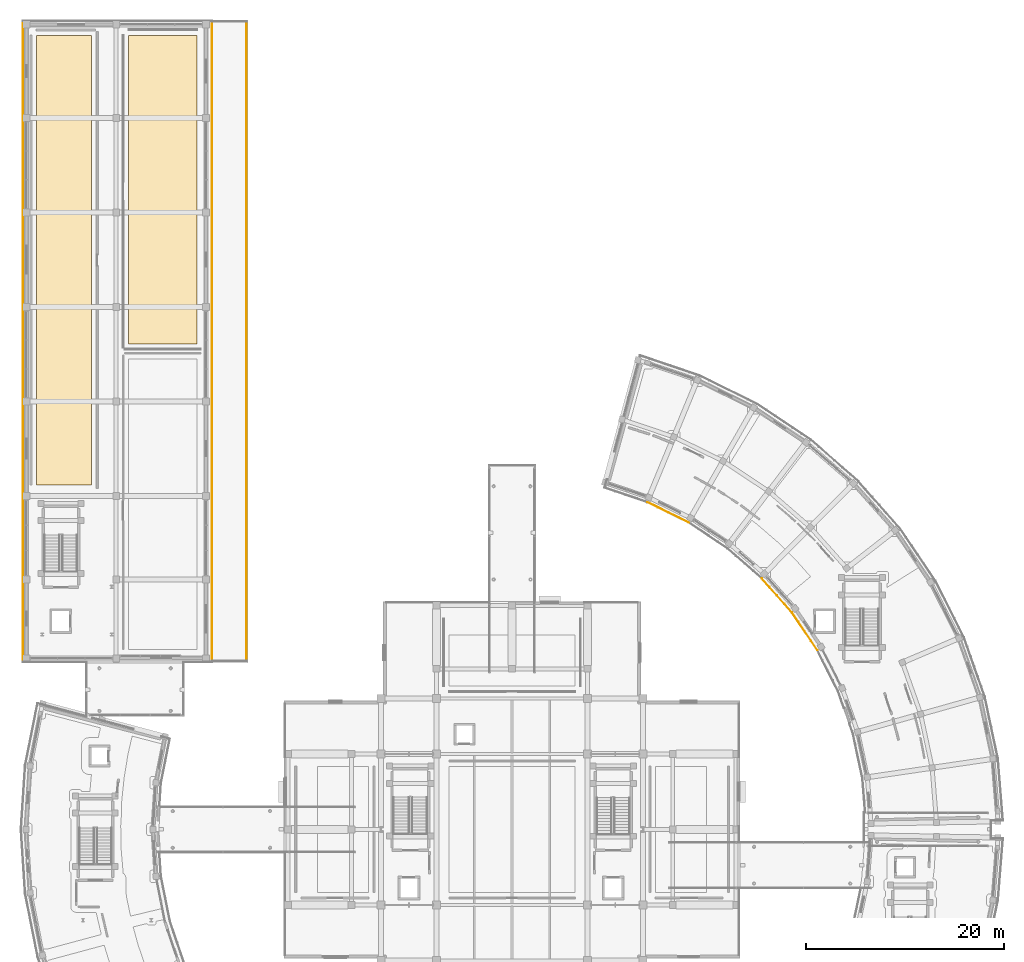
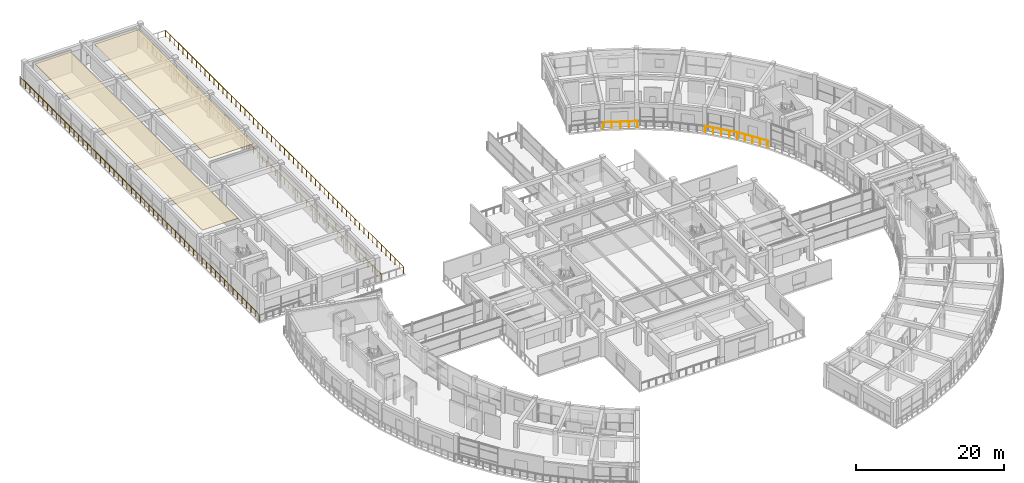
# One storey, part 68 of 70: 6 railings, 2 coverings.
"""IFC4 building model written with IfcOpenShell, lengths in metres."""

from ifc_helpers import new_model, si_unit, direction, frame, origin, origin_2d, place, context, subcontext, project, spatial, polyline, rectangle, outline, extrude, material, layer, layer_set, type_object, element, save


model = new_model("IFC4")

# Units and contexts
model_context = context("Model", 3, precision=1e-05, world=origin(), true_north=direction((0.0, 1.0)))
body_context = subcontext(model_context, "Body", "Model", "MODEL_VIEW")
ifc_project = project(units=[si_unit("LENGTHUNIT", "METRE"), si_unit("AREAUNIT", "SQUARE_METRE"), si_unit("VOLUMEUNIT", "CUBIC_METRE"), si_unit("PLANEANGLEUNIT", "RADIAN"), si_unit("MASSUNIT", "GRAM", prefix="KILO")], contexts=[model_context])

# Site, building, storey
site_placement = place(None, origin())
site = spatial("IfcSite", under=ifc_project, at=site_placement, CompositionType="ELEMENT")
building_placement = place(site_placement, origin())
building = spatial("IfcBuilding", under=site, at=building_placement, Name="Saryqyr Civic Hall", CompositionType="ELEMENT")
storey_placement = place(building_placement, frame((0.0, 0.0, 13.199951171875)))
storey = spatial("IfcBuildingStorey", under=building, at=storey_placement, Name="L03", CompositionType="ELEMENT", Elevation=13.199951171875)

# Railings
ifc_material_1 = material(Name="Stainless steel and laminated glass", Category="steel")
ifc_layer_1 = layer(ifc_material_1, 0.06005859375, Name="Stainless steel and laminated glass")
ifc_layer_set_1 = layer_set([ifc_layer_1], Name="Stainless steel and laminated glass")
railing_type_1 = type_object("IfcRailingType", Name="ENV-RLG-BAL-1100", PredefinedType="BALUSTRADE", material=ifc_layer_set_1)
railing_1_placement = place(storey_placement, frame((30.239990234375, 100.9599609375, 0.0)))
element("IfcRailing", 1, at=railing_1_placement, inside=storey, type_object=railing_type_1, Name="Perimeter safety balustrade V3-TERR-L03-G02", PredefinedType="BALUSTRADE", context=body_context, shape_type="SweptSolid", body=[
    extrude(rectangle(XDim=0.048095703125, YDim=0.048095703125, at=origin_2d()), frame((0.0, 0.0, 1.076171875), z_axis=(0.0, 1.0, 0.0), x_axis=(-1.0, 0.0, 0.0)), (0.0, 0.0, 1.0), 64.47998046875),
    extrude(rectangle(XDim=0.0419921875, YDim=0.0419921875, at=origin_2d()), origin(), (0.0, 0.0, 1.0), 1.052001953125),
    extrude(rectangle(XDim=0.0419921875, YDim=0.0419921875, at=origin_2d()), frame((0.0, 1.194091796875, 0.0)), (0.0, 0.0, 1.0), 1.052001953125),
    extrude(rectangle(XDim=0.0419921875, YDim=0.0419921875, at=origin_2d()), frame((0.0, 2.38818359375, 0.0)), (0.0, 0.0, 1.0), 1.052001953125),
    extrude(rectangle(XDim=0.0419921875, YDim=0.0419921875, at=origin_2d()), frame((0.0, 3.582275390625, 0.0)), (0.0, 0.0, 1.0), 1.052001953125),
    extrude(rectangle(XDim=0.0419921875, YDim=0.0419921875, at=origin_2d()), frame((0.0, 4.7763671875, 0.0)), (0.0, 0.0, 1.0), 1.052001953125),
    extrude(rectangle(XDim=0.0419921875, YDim=0.0419921875, at=origin_2d()), frame((0.0, 5.970458984375, 0.0)), (0.0, 0.0, 1.0), 1.052001953125),
    extrude(rectangle(XDim=0.0419921875, YDim=0.0419921875, at=origin_2d()), frame((0.0, 7.16455078125, 0.0)), (0.0, 0.0, 1.0), 1.052001953125),
    extrude(rectangle(XDim=0.0419921875, YDim=0.0419921875, at=origin_2d()), frame((0.0, 8.3583984375, 0.0)), (0.0, 0.0, 1.0), 1.052001953125),
    extrude(rectangle(XDim=0.0419921875, YDim=0.0419921875, at=origin_2d()), frame((0.0, 9.552490234375, 0.0)), (0.0, 0.0, 1.0), 1.052001953125),
    extrude(rectangle(XDim=0.0419921875, YDim=0.0419921875, at=origin_2d()), frame((0.0, 10.74658203125, 0.0)), (0.0, 0.0, 1.0), 1.052001953125),
    extrude(rectangle(XDim=0.0419921875, YDim=0.0419921875, at=origin_2d()), frame((0.0, 11.940673828125, 0.0)), (0.0, 0.0, 1.0), 1.052001953125),
    extrude(rectangle(XDim=0.0419921875, YDim=0.0419921875, at=origin_2d()), frame((0.0, 13.134765625, 0.0)), (0.0, 0.0, 1.0), 1.052001953125),
    extrude(rectangle(XDim=0.0419921875, YDim=0.0419921875, at=origin_2d()), frame((0.0, 14.328857421875, 0.0)), (0.0, 0.0, 1.0), 1.052001953125),
    extrude(rectangle(XDim=0.0419921875, YDim=0.0419921875, at=origin_2d()), frame((0.0, 15.52294921875, 0.0)), (0.0, 0.0, 1.0), 1.052001953125),
    extrude(rectangle(XDim=0.0419921875, YDim=0.0419921875, at=origin_2d()), frame((0.0, 16.717041015625, 0.0)), (0.0, 0.0, 1.0), 1.052001953125),
    extrude(rectangle(XDim=0.0419921875, YDim=0.0419921875, at=origin_2d()), frame((0.0, 17.9111328125, 0.0)), (0.0, 0.0, 1.0), 1.052001953125),
    extrude(rectangle(XDim=0.0419921875, YDim=0.0419921875, at=origin_2d()), frame((0.0, 19.105224609375, 0.0)), (0.0, 0.0, 1.0), 1.052001953125),
    extrude(rectangle(XDim=0.0419921875, YDim=0.0419921875, at=origin_2d()), frame((0.0, 20.29931640625, 0.0)), (0.0, 0.0, 1.0), 1.052001953125),
    extrude(rectangle(XDim=0.0419921875, YDim=0.0419921875, at=origin_2d()), frame((0.0, 21.493408203125, 0.0)), (0.0, 0.0, 1.0), 1.052001953125),
    extrude(rectangle(XDim=0.0419921875, YDim=0.0419921875, at=origin_2d()), frame((0.0, 22.6875, 0.0)), (0.0, 0.0, 1.0), 1.052001953125),
    extrude(rectangle(XDim=0.0419921875, YDim=0.0419921875, at=origin_2d()), frame((0.0, 23.881591796875, 0.0)), (0.0, 0.0, 1.0), 1.052001953125),
    extrude(rectangle(XDim=0.0419921875, YDim=0.0419921875, at=origin_2d()), frame((0.0, 25.075439453125, 0.0)), (0.0, 0.0, 1.0), 1.052001953125),
    extrude(rectangle(XDim=0.0419921875, YDim=0.0419921875, at=origin_2d()), frame((0.0, 26.26953125, 0.0)), (0.0, 0.0, 1.0), 1.052001953125),
    extrude(rectangle(XDim=0.0419921875, YDim=0.0419921875, at=origin_2d()), frame((0.0, 27.463623046875, 0.0)), (0.0, 0.0, 1.0), 1.052001953125),
    extrude(rectangle(XDim=0.0419921875, YDim=0.0419921875, at=origin_2d()), frame((0.0, 28.65771484375, 0.0)), (0.0, 0.0, 1.0), 1.052001953125),
    extrude(rectangle(XDim=0.0419921875, YDim=0.0419921875, at=origin_2d()), frame((0.0, 29.851806640625, 0.0)), (0.0, 0.0, 1.0), 1.052001953125),
    extrude(rectangle(XDim=0.0419921875, YDim=0.0419921875, at=origin_2d()), frame((0.0, 31.0458984375, 0.0)), (0.0, 0.0, 1.0), 1.052001953125),
    extrude(rectangle(XDim=0.0419921875, YDim=0.0419921875, at=origin_2d()), frame((0.0, 32.239990234375, 0.0)), (0.0, 0.0, 1.0), 1.052001953125),
    extrude(rectangle(XDim=0.0419921875, YDim=0.0419921875, at=origin_2d()), frame((0.0, 33.43408203125, 0.0)), (0.0, 0.0, 1.0), 1.052001953125),
    extrude(rectangle(XDim=0.0419921875, YDim=0.0419921875, at=origin_2d()), frame((0.0, 34.628173828125, 0.0)), (0.0, 0.0, 1.0), 1.052001953125),
    extrude(rectangle(XDim=0.0419921875, YDim=0.0419921875, at=origin_2d()), frame((0.0, 35.822265625, 0.0)), (0.0, 0.0, 1.0), 1.052001953125),
    extrude(rectangle(XDim=0.0419921875, YDim=0.0419921875, at=origin_2d()), frame((0.0, 37.016357421875, 0.0)), (0.0, 0.0, 1.0), 1.052001953125),
    extrude(rectangle(XDim=0.0419921875, YDim=0.0419921875, at=origin_2d()), frame((0.0, 38.21044921875, 0.0)), (0.0, 0.0, 1.0), 1.052001953125),
    extrude(rectangle(XDim=0.0419921875, YDim=0.0419921875, at=origin_2d()), frame((0.0, 39.404541015625, 0.0)), (0.0, 0.0, 1.0), 1.052001953125),
    extrude(rectangle(XDim=0.0419921875, YDim=0.0419921875, at=origin_2d()), frame((0.0, 40.598388671875, 0.0)), (0.0, 0.0, 1.0), 1.052001953125),
    extrude(rectangle(XDim=0.0419921875, YDim=0.0419921875, at=origin_2d()), frame((0.0, 41.79248046875, 0.0)), (0.0, 0.0, 1.0), 1.052001953125),
    extrude(rectangle(XDim=0.0419921875, YDim=0.0419921875, at=origin_2d()), frame((0.0, 42.986572265625, 0.0)), (0.0, 0.0, 1.0), 1.052001953125),
    extrude(rectangle(XDim=0.0419921875, YDim=0.0419921875, at=origin_2d()), frame((0.0, 44.1806640625, 0.0)), (0.0, 0.0, 1.0), 1.052001953125),
    extrude(rectangle(XDim=0.0419921875, YDim=0.0419921875, at=origin_2d()), frame((0.0, 45.374755859375, 0.0)), (0.0, 0.0, 1.0), 1.052001953125),
    extrude(rectangle(XDim=0.0419921875, YDim=0.0419921875, at=origin_2d()), frame((0.0, 46.56884765625, 0.0)), (0.0, 0.0, 1.0), 1.052001953125),
    extrude(rectangle(XDim=0.0419921875, YDim=0.0419921875, at=origin_2d()), frame((0.0, 47.762939453125, 0.0)), (0.0, 0.0, 1.0), 1.052001953125),
    extrude(rectangle(XDim=0.0419921875, YDim=0.0419921875, at=origin_2d()), frame((0.0, 48.95703125, 0.0)), (0.0, 0.0, 1.0), 1.052001953125),
    extrude(rectangle(XDim=0.0419921875, YDim=0.0419921875, at=origin_2d()), frame((0.0, 50.151123046875, 0.0)), (0.0, 0.0, 1.0), 1.052001953125),
    extrude(rectangle(XDim=0.0419921875, YDim=0.0419921875, at=origin_2d()), frame((0.0, 51.34521484375, 0.0)), (0.0, 0.0, 1.0), 1.052001953125),
    extrude(rectangle(XDim=0.0419921875, YDim=0.0419921875, at=origin_2d()), frame((0.0, 52.539306640625, 0.0)), (0.0, 0.0, 1.0), 1.052001953125),
    extrude(rectangle(XDim=0.0419921875, YDim=0.0419921875, at=origin_2d()), frame((0.0, 53.7333984375, 0.0)), (0.0, 0.0, 1.0), 1.052001953125),
    extrude(rectangle(XDim=0.0419921875, YDim=0.0419921875, at=origin_2d()), frame((0.0, 54.927490234375, 0.0)), (0.0, 0.0, 1.0), 1.052001953125),
    extrude(rectangle(XDim=0.0419921875, YDim=0.0419921875, at=origin_2d()), frame((0.0, 56.12158203125, 0.0)), (0.0, 0.0, 1.0), 1.052001953125),
    extrude(rectangle(XDim=0.0419921875, YDim=0.0419921875, at=origin_2d()), frame((0.0, 57.3154296875, 0.0)), (0.0, 0.0, 1.0), 1.052001953125),
    extrude(rectangle(XDim=0.0419921875, YDim=0.0419921875, at=origin_2d()), frame((0.0, 58.509521484375, 0.0)), (0.0, 0.0, 1.0), 1.052001953125),
    extrude(rectangle(XDim=0.0419921875, YDim=0.0419921875, at=origin_2d()), frame((0.0, 59.70361328125, 0.0)), (0.0, 0.0, 1.0), 1.052001953125),
    extrude(rectangle(XDim=0.0419921875, YDim=0.0419921875, at=origin_2d()), frame((0.0, 60.897705078125, 0.0)), (0.0, 0.0, 1.0), 1.052001953125),
    extrude(rectangle(XDim=0.0419921875, YDim=0.0419921875, at=origin_2d()), frame((0.0, 62.091796875, 0.0)), (0.0, 0.0, 1.0), 1.052001953125),
    extrude(rectangle(XDim=0.0419921875, YDim=0.0419921875, at=origin_2d()), frame((0.0, 63.285888671875, 0.0)), (0.0, 0.0, 1.0), 1.052001953125),
    extrude(rectangle(XDim=0.0419921875, YDim=0.0419921875, at=origin_2d()), frame((0.0, 64.47998046875, 0.0)), (0.0, 0.0, 1.0), 1.052001953125),
])
railing_2_placement = place(storey_placement, frame((26.760009765625, 165.43994140625, 0.0)))
element("IfcRailing", 2, at=railing_2_placement, inside=storey, type_object=railing_type_1, Name="Perimeter safety balustrade V3-TERR-L03-G04", PredefinedType="BALUSTRADE", context=body_context, shape_type="SweptSolid", body=[
    extrude(rectangle(XDim=0.048095703125, YDim=0.048095703125, at=origin_2d()), frame((0.0, 0.0, 1.076171875), z_axis=(0.0, -1.0, 0.0), x_axis=(1.0, 0.0, 0.0)), (0.0, 0.0, 1.0), 64.47998046875),
    extrude(rectangle(XDim=0.0419921875, YDim=0.0419921875, at=origin_2d()), origin(), (0.0, 0.0, 1.0), 1.052001953125),
    extrude(rectangle(XDim=0.0419921875, YDim=0.0419921875, at=origin_2d()), frame((0.0, -1.194091796875, 0.0)), (0.0, 0.0, 1.0), 1.052001953125),
    extrude(rectangle(XDim=0.0419921875, YDim=0.0419921875, at=origin_2d()), frame((0.0, -2.38818359375, 0.0)), (0.0, 0.0, 1.0), 1.052001953125),
    extrude(rectangle(XDim=0.0419921875, YDim=0.0419921875, at=origin_2d()), frame((0.0, -3.582275390625, 0.0)), (0.0, 0.0, 1.0), 1.052001953125),
    extrude(rectangle(XDim=0.0419921875, YDim=0.0419921875, at=origin_2d()), frame((0.0, -4.7763671875, 0.0)), (0.0, 0.0, 1.0), 1.052001953125),
    extrude(rectangle(XDim=0.0419921875, YDim=0.0419921875, at=origin_2d()), frame((0.0, -5.970458984375, 0.0)), (0.0, 0.0, 1.0), 1.052001953125),
    extrude(rectangle(XDim=0.0419921875, YDim=0.0419921875, at=origin_2d()), frame((0.0, -7.16455078125, 0.0)), (0.0, 0.0, 1.0), 1.052001953125),
    extrude(rectangle(XDim=0.0419921875, YDim=0.0419921875, at=origin_2d()), frame((0.0, -8.3583984375, 0.0)), (0.0, 0.0, 1.0), 1.052001953125),
    extrude(rectangle(XDim=0.0419921875, YDim=0.0419921875, at=origin_2d()), frame((0.0, -9.552490234375, 0.0)), (0.0, 0.0, 1.0), 1.052001953125),
    extrude(rectangle(XDim=0.0419921875, YDim=0.0419921875, at=origin_2d()), frame((0.0, -10.74658203125, 0.0)), (0.0, 0.0, 1.0), 1.052001953125),
    extrude(rectangle(XDim=0.0419921875, YDim=0.0419921875, at=origin_2d()), frame((0.0, -11.940673828125, 0.0)), (0.0, 0.0, 1.0), 1.052001953125),
    extrude(rectangle(XDim=0.0419921875, YDim=0.0419921875, at=origin_2d()), frame((0.0, -13.134765625, 0.0)), (0.0, 0.0, 1.0), 1.052001953125),
    extrude(rectangle(XDim=0.0419921875, YDim=0.0419921875, at=origin_2d()), frame((0.0, -14.328857421875, 0.0)), (0.0, 0.0, 1.0), 1.052001953125),
    extrude(rectangle(XDim=0.0419921875, YDim=0.0419921875, at=origin_2d()), frame((0.0, -15.52294921875, 0.0)), (0.0, 0.0, 1.0), 1.052001953125),
    extrude(rectangle(XDim=0.0419921875, YDim=0.0419921875, at=origin_2d()), frame((0.0, -16.717041015625, 0.0)), (0.0, 0.0, 1.0), 1.052001953125),
    extrude(rectangle(XDim=0.0419921875, YDim=0.0419921875, at=origin_2d()), frame((0.0, -17.9111328125, 0.0)), (0.0, 0.0, 1.0), 1.052001953125),
    extrude(rectangle(XDim=0.0419921875, YDim=0.0419921875, at=origin_2d()), frame((0.0, -19.105224609375, 0.0)), (0.0, 0.0, 1.0), 1.052001953125),
    extrude(rectangle(XDim=0.0419921875, YDim=0.0419921875, at=origin_2d()), frame((0.0, -20.29931640625, 0.0)), (0.0, 0.0, 1.0), 1.052001953125),
    extrude(rectangle(XDim=0.0419921875, YDim=0.0419921875, at=origin_2d()), frame((0.0, -21.493408203125, 0.0)), (0.0, 0.0, 1.0), 1.052001953125),
    extrude(rectangle(XDim=0.0419921875, YDim=0.0419921875, at=origin_2d()), frame((0.0, -22.6875, 0.0)), (0.0, 0.0, 1.0), 1.052001953125),
    extrude(rectangle(XDim=0.0419921875, YDim=0.0419921875, at=origin_2d()), frame((0.0, -23.881591796875, 0.0)), (0.0, 0.0, 1.0), 1.052001953125),
    extrude(rectangle(XDim=0.0419921875, YDim=0.0419921875, at=origin_2d()), frame((0.0, -25.075439453125, 0.0)), (0.0, 0.0, 1.0), 1.052001953125),
    extrude(rectangle(XDim=0.0419921875, YDim=0.0419921875, at=origin_2d()), frame((0.0, -26.26953125, 0.0)), (0.0, 0.0, 1.0), 1.052001953125),
    extrude(rectangle(XDim=0.0419921875, YDim=0.0419921875, at=origin_2d()), frame((0.0, -27.463623046875, 0.0)), (0.0, 0.0, 1.0), 1.052001953125),
    extrude(rectangle(XDim=0.0419921875, YDim=0.0419921875, at=origin_2d()), frame((0.0, -28.65771484375, 0.0)), (0.0, 0.0, 1.0), 1.052001953125),
    extrude(rectangle(XDim=0.0419921875, YDim=0.0419921875, at=origin_2d()), frame((0.0, -29.851806640625, 0.0)), (0.0, 0.0, 1.0), 1.052001953125),
    extrude(rectangle(XDim=0.0419921875, YDim=0.0419921875, at=origin_2d()), frame((0.0, -31.0458984375, 0.0)), (0.0, 0.0, 1.0), 1.052001953125),
    extrude(rectangle(XDim=0.0419921875, YDim=0.0419921875, at=origin_2d()), frame((0.0, -32.239990234375, 0.0)), (0.0, 0.0, 1.0), 1.052001953125),
    extrude(rectangle(XDim=0.0419921875, YDim=0.0419921875, at=origin_2d()), frame((0.0, -33.43408203125, 0.0)), (0.0, 0.0, 1.0), 1.052001953125),
    extrude(rectangle(XDim=0.0419921875, YDim=0.0419921875, at=origin_2d()), frame((0.0, -34.628173828125, 0.0)), (0.0, 0.0, 1.0), 1.052001953125),
    extrude(rectangle(XDim=0.0419921875, YDim=0.0419921875, at=origin_2d()), frame((0.0, -35.822265625, 0.0)), (0.0, 0.0, 1.0), 1.052001953125),
    extrude(rectangle(XDim=0.0419921875, YDim=0.0419921875, at=origin_2d()), frame((0.0, -37.016357421875, 0.0)), (0.0, 0.0, 1.0), 1.052001953125),
    extrude(rectangle(XDim=0.0419921875, YDim=0.0419921875, at=origin_2d()), frame((0.0, -38.21044921875, 0.0)), (0.0, 0.0, 1.0), 1.052001953125),
    extrude(rectangle(XDim=0.0419921875, YDim=0.0419921875, at=origin_2d()), frame((0.0, -39.404541015625, 0.0)), (0.0, 0.0, 1.0), 1.052001953125),
    extrude(rectangle(XDim=0.0419921875, YDim=0.0419921875, at=origin_2d()), frame((0.0, -40.598388671875, 0.0)), (0.0, 0.0, 1.0), 1.052001953125),
    extrude(rectangle(XDim=0.0419921875, YDim=0.0419921875, at=origin_2d()), frame((0.0, -41.79248046875, 0.0)), (0.0, 0.0, 1.0), 1.052001953125),
    extrude(rectangle(XDim=0.0419921875, YDim=0.0419921875, at=origin_2d()), frame((0.0, -42.986572265625, 0.0)), (0.0, 0.0, 1.0), 1.052001953125),
    extrude(rectangle(XDim=0.0419921875, YDim=0.0419921875, at=origin_2d()), frame((0.0, -44.1806640625, 0.0)), (0.0, 0.0, 1.0), 1.052001953125),
    extrude(rectangle(XDim=0.0419921875, YDim=0.0419921875, at=origin_2d()), frame((0.0, -45.374755859375, 0.0)), (0.0, 0.0, 1.0), 1.052001953125),
    extrude(rectangle(XDim=0.0419921875, YDim=0.0419921875, at=origin_2d()), frame((0.0, -46.56884765625, 0.0)), (0.0, 0.0, 1.0), 1.052001953125),
    extrude(rectangle(XDim=0.0419921875, YDim=0.0419921875, at=origin_2d()), frame((0.0, -47.762939453125, 0.0)), (0.0, 0.0, 1.0), 1.052001953125),
    extrude(rectangle(XDim=0.0419921875, YDim=0.0419921875, at=origin_2d()), frame((0.0, -48.95703125, 0.0)), (0.0, 0.0, 1.0), 1.052001953125),
    extrude(rectangle(XDim=0.0419921875, YDim=0.0419921875, at=origin_2d()), frame((0.0, -50.151123046875, 0.0)), (0.0, 0.0, 1.0), 1.052001953125),
    extrude(rectangle(XDim=0.0419921875, YDim=0.0419921875, at=origin_2d()), frame((0.0, -51.34521484375, 0.0)), (0.0, 0.0, 1.0), 1.052001953125),
    extrude(rectangle(XDim=0.0419921875, YDim=0.0419921875, at=origin_2d()), frame((0.0, -52.539306640625, 0.0)), (0.0, 0.0, 1.0), 1.052001953125),
    extrude(rectangle(XDim=0.0419921875, YDim=0.0419921875, at=origin_2d()), frame((0.0, -53.7333984375, 0.0)), (0.0, 0.0, 1.0), 1.052001953125),
    extrude(rectangle(XDim=0.0419921875, YDim=0.0419921875, at=origin_2d()), frame((0.0, -54.927490234375, 0.0)), (0.0, 0.0, 1.0), 1.052001953125),
    extrude(rectangle(XDim=0.0419921875, YDim=0.0419921875, at=origin_2d()), frame((0.0, -56.12158203125, 0.0)), (0.0, 0.0, 1.0), 1.052001953125),
    extrude(rectangle(XDim=0.0419921875, YDim=0.0419921875, at=origin_2d()), frame((0.0, -57.3154296875, 0.0)), (0.0, 0.0, 1.0), 1.052001953125),
    extrude(rectangle(XDim=0.0419921875, YDim=0.0419921875, at=origin_2d()), frame((0.0, -58.509521484375, 0.0)), (0.0, 0.0, 1.0), 1.052001953125),
    extrude(rectangle(XDim=0.0419921875, YDim=0.0419921875, at=origin_2d()), frame((0.0, -59.70361328125, 0.0)), (0.0, 0.0, 1.0), 1.052001953125),
    extrude(rectangle(XDim=0.0419921875, YDim=0.0419921875, at=origin_2d()), frame((0.0, -60.897705078125, 0.0)), (0.0, 0.0, 1.0), 1.052001953125),
    extrude(rectangle(XDim=0.0419921875, YDim=0.0419921875, at=origin_2d()), frame((0.0, -62.091796875, 0.0)), (0.0, 0.0, 1.0), 1.052001953125),
    extrude(rectangle(XDim=0.0419921875, YDim=0.0419921875, at=origin_2d()), frame((0.0, -63.285888671875, 0.0)), (0.0, 0.0, 1.0), 1.052001953125),
    extrude(rectangle(XDim=0.0419921875, YDim=0.0419921875, at=origin_2d()), frame((0.0, -64.47998046875, 0.0)), (0.0, 0.0, 1.0), 1.052001953125),
])

# Coverings
ifc_material_2 = material(Name="Mineral-fibre acoustic ceiling tile", Category="acoustic_tile")
ifc_layer_2 = layer(ifc_material_2, 0.06005859375, Name="Mineral-fibre acoustic ceiling tile")
ifc_layer_set_2 = layer_set([ifc_layer_2], Name="Mineral-fibre acoustic ceiling tile")
covering_type = type_object("IfcCoveringType", Name="INT-COV-CEIL-60", PredefinedType="CEILING", material=ifc_layer_set_2)
covering_1_placement = place(storey_placement, frame((0.0, 0.0, 3.72998046875)))
element("IfcCovering", 3, at=covering_1_placement, inside=storey, type_object=covering_type, Name="Acoustic ceiling Terrace Reading Salon & Accessible MGN WC L03", PredefinedType="CEILING", context=body_context, shape_type="SweptSolid", body=[
    extrude(outline(polyline([(18.35009765625, 132.949951171875), (18.35009765625, 164.050048828125), (25.25, 164.050048828125), (25.25, 132.949951171875), (18.35009765625, 132.949951171875)])), origin(), (0.0, 0.0, 1.0), 0.06005859375),
])
covering_2_placement = place(storey_placement, frame((0.0, 0.0, 3.72998046875)))
element("IfcCovering", 4, at=covering_2_placement, inside=storey, type_object=covering_type, Name="Acoustic ceiling Civic Policy & Urbanism Library", PredefinedType="CEILING", context=body_context, shape_type="SweptSolid", body=[
    extrude(outline(polyline([(9.050048828125, 118.75), (9.050048828125, 164.050048828125), (14.6298828125, 164.050048828125), (14.6298828125, 118.75), (9.050048828125, 118.75)])), origin(), (0.0, 0.0, 1.0), 0.06005859375),
])

# Railings
ifc_material_3 = material(Name="Warm brushed brass and laminated glass", Category="glass")
ifc_layer_3 = layer(ifc_material_3, 0.06005859375, Name="Warm brushed brass and laminated glass")
ifc_layer_set_3 = layer_set([ifc_layer_3], Name="Warm brushed brass and laminated glass")
railing_type_2 = type_object("IfcRailingType", Name="INT-RLG-BAL-1100", PredefinedType="BALUSTRADE", material=ifc_layer_set_3)
railing_3_placement = place(storey_placement, frame((7.699951171875, 100.89990234375, 0.0)))
element("IfcRailing", 5, at=railing_3_placement, inside=storey, type_object=railing_type_2, Name="Interior deck safety balustrade L03-016", PredefinedType="BALUSTRADE", context=body_context, shape_type="SweptSolid", body=[
    extrude(rectangle(XDim=0.048095703125, YDim=0.048095703125, at=origin_2d()), frame((0.0, 0.0, 1.09619140625), z_axis=(0.0, 1.0, 0.0), x_axis=(-1.0, 0.0, 0.0)), (0.0, 0.0, 1.0), 64.60009765625),
    extrude(rectangle(XDim=0.0419921875, YDim=0.0419921875, at=origin_2d()), origin(), (0.0, 0.0, 1.0), 1.072021484375),
    extrude(rectangle(XDim=0.0419921875, YDim=0.0419921875, at=origin_2d()), frame((0.0, 1.1962890625, 0.0)), (0.0, 0.0, 1.0), 1.072021484375),
    extrude(rectangle(XDim=0.0419921875, YDim=0.0419921875, at=origin_2d()), frame((0.0, 2.392578125, 0.0)), (0.0, 0.0, 1.0), 1.072021484375),
    extrude(rectangle(XDim=0.0419921875, YDim=0.0419921875, at=origin_2d()), frame((0.0, 3.5888671875, 0.0)), (0.0, 0.0, 1.0), 1.072021484375),
    extrude(rectangle(XDim=0.0419921875, YDim=0.0419921875, at=origin_2d()), frame((0.0, 4.78515625, 0.0)), (0.0, 0.0, 1.0), 1.072021484375),
    extrude(rectangle(XDim=0.0419921875, YDim=0.0419921875, at=origin_2d()), frame((0.0, 5.9814453125, 0.0)), (0.0, 0.0, 1.0), 1.072021484375),
    extrude(rectangle(XDim=0.0419921875, YDim=0.0419921875, at=origin_2d()), frame((0.0, 7.177734375, 0.0)), (0.0, 0.0, 1.0), 1.072021484375),
    extrude(rectangle(XDim=0.0419921875, YDim=0.0419921875, at=origin_2d()), frame((0.0, 8.3740234375, 0.0)), (0.0, 0.0, 1.0), 1.072021484375),
    extrude(rectangle(XDim=0.0419921875, YDim=0.0419921875, at=origin_2d()), frame((0.0, 9.5703125, 0.0)), (0.0, 0.0, 1.0), 1.072021484375),
    extrude(rectangle(XDim=0.0419921875, YDim=0.0419921875, at=origin_2d()), frame((0.0, 10.7666015625, 0.0)), (0.0, 0.0, 1.0), 1.072021484375),
    extrude(rectangle(XDim=0.0419921875, YDim=0.0419921875, at=origin_2d()), frame((0.0, 11.962890625, 0.0)), (0.0, 0.0, 1.0), 1.072021484375),
    extrude(rectangle(XDim=0.0419921875, YDim=0.0419921875, at=origin_2d()), frame((0.0, 13.1591796875, 0.0)), (0.0, 0.0, 1.0), 1.072021484375),
    extrude(rectangle(XDim=0.0419921875, YDim=0.0419921875, at=origin_2d()), frame((0.0, 14.35546875, 0.0)), (0.0, 0.0, 1.0), 1.072021484375),
    extrude(rectangle(XDim=0.0419921875, YDim=0.0419921875, at=origin_2d()), frame((0.0, 15.5517578125, 0.0)), (0.0, 0.0, 1.0), 1.072021484375),
    extrude(rectangle(XDim=0.0419921875, YDim=0.0419921875, at=origin_2d()), frame((0.0, 16.748291015625, 0.0)), (0.0, 0.0, 1.0), 1.072021484375),
    extrude(rectangle(XDim=0.0419921875, YDim=0.0419921875, at=origin_2d()), frame((0.0, 17.944580078125, 0.0)), (0.0, 0.0, 1.0), 1.072021484375),
    extrude(rectangle(XDim=0.0419921875, YDim=0.0419921875, at=origin_2d()), frame((0.0, 19.140869140625, 0.0)), (0.0, 0.0, 1.0), 1.072021484375),
    extrude(rectangle(XDim=0.0419921875, YDim=0.0419921875, at=origin_2d()), frame((0.0, 20.337158203125, 0.0)), (0.0, 0.0, 1.0), 1.072021484375),
    extrude(rectangle(XDim=0.0419921875, YDim=0.0419921875, at=origin_2d()), frame((0.0, 21.533447265625, 0.0)), (0.0, 0.0, 1.0), 1.072021484375),
    extrude(rectangle(XDim=0.0419921875, YDim=0.0419921875, at=origin_2d()), frame((0.0, 22.729736328125, 0.0)), (0.0, 0.0, 1.0), 1.072021484375),
    extrude(rectangle(XDim=0.0419921875, YDim=0.0419921875, at=origin_2d()), frame((0.0, 23.926025390625, 0.0)), (0.0, 0.0, 1.0), 1.072021484375),
    extrude(rectangle(XDim=0.0419921875, YDim=0.0419921875, at=origin_2d()), frame((0.0, 25.122314453125, 0.0)), (0.0, 0.0, 1.0), 1.072021484375),
    extrude(rectangle(XDim=0.0419921875, YDim=0.0419921875, at=origin_2d()), frame((0.0, 26.318603515625, 0.0)), (0.0, 0.0, 1.0), 1.072021484375),
    extrude(rectangle(XDim=0.0419921875, YDim=0.0419921875, at=origin_2d()), frame((0.0, 27.514892578125, 0.0)), (0.0, 0.0, 1.0), 1.072021484375),
    extrude(rectangle(XDim=0.0419921875, YDim=0.0419921875, at=origin_2d()), frame((0.0, 28.711181640625, 0.0)), (0.0, 0.0, 1.0), 1.072021484375),
    extrude(rectangle(XDim=0.0419921875, YDim=0.0419921875, at=origin_2d()), frame((0.0, 29.907470703125, 0.0)), (0.0, 0.0, 1.0), 1.072021484375),
    extrude(rectangle(XDim=0.0419921875, YDim=0.0419921875, at=origin_2d()), frame((0.0, 31.103759765625, 0.0)), (0.0, 0.0, 1.0), 1.072021484375),
    extrude(rectangle(XDim=0.0419921875, YDim=0.0419921875, at=origin_2d()), frame((0.0, 32.300048828125, 0.0)), (0.0, 0.0, 1.0), 1.072021484375),
    extrude(rectangle(XDim=0.0419921875, YDim=0.0419921875, at=origin_2d()), frame((0.0, 33.496337890625, 0.0)), (0.0, 0.0, 1.0), 1.072021484375),
    extrude(rectangle(XDim=0.0419921875, YDim=0.0419921875, at=origin_2d()), frame((0.0, 34.692626953125, 0.0)), (0.0, 0.0, 1.0), 1.072021484375),
    extrude(rectangle(XDim=0.0419921875, YDim=0.0419921875, at=origin_2d()), frame((0.0, 35.888916015625, 0.0)), (0.0, 0.0, 1.0), 1.072021484375),
    extrude(rectangle(XDim=0.0419921875, YDim=0.0419921875, at=origin_2d()), frame((0.0, 37.085205078125, 0.0)), (0.0, 0.0, 1.0), 1.072021484375),
    extrude(rectangle(XDim=0.0419921875, YDim=0.0419921875, at=origin_2d()), frame((0.0, 38.281494140625, 0.0)), (0.0, 0.0, 1.0), 1.072021484375),
    extrude(rectangle(XDim=0.0419921875, YDim=0.0419921875, at=origin_2d()), frame((0.0, 39.477783203125, 0.0)), (0.0, 0.0, 1.0), 1.072021484375),
    extrude(rectangle(XDim=0.0419921875, YDim=0.0419921875, at=origin_2d()), frame((0.0, 40.674072265625, 0.0)), (0.0, 0.0, 1.0), 1.072021484375),
    extrude(rectangle(XDim=0.0419921875, YDim=0.0419921875, at=origin_2d()), frame((0.0, 41.870361328125, 0.0)), (0.0, 0.0, 1.0), 1.072021484375),
    extrude(rectangle(XDim=0.0419921875, YDim=0.0419921875, at=origin_2d()), frame((0.0, 43.066650390625, 0.0)), (0.0, 0.0, 1.0), 1.072021484375),
    extrude(rectangle(XDim=0.0419921875, YDim=0.0419921875, at=origin_2d()), frame((0.0, 44.262939453125, 0.0)), (0.0, 0.0, 1.0), 1.072021484375),
    extrude(rectangle(XDim=0.0419921875, YDim=0.0419921875, at=origin_2d()), frame((0.0, 45.459228515625, 0.0)), (0.0, 0.0, 1.0), 1.072021484375),
    extrude(rectangle(XDim=0.0419921875, YDim=0.0419921875, at=origin_2d()), frame((0.0, 46.655517578125, 0.0)), (0.0, 0.0, 1.0), 1.072021484375),
    extrude(rectangle(XDim=0.0419921875, YDim=0.0419921875, at=origin_2d()), frame((0.0, 47.851806640625, 0.0)), (0.0, 0.0, 1.0), 1.072021484375),
    extrude(rectangle(XDim=0.0419921875, YDim=0.0419921875, at=origin_2d()), frame((0.0, 49.04833984375, 0.0)), (0.0, 0.0, 1.0), 1.072021484375),
    extrude(rectangle(XDim=0.0419921875, YDim=0.0419921875, at=origin_2d()), frame((0.0, 50.24462890625, 0.0)), (0.0, 0.0, 1.0), 1.072021484375),
    extrude(rectangle(XDim=0.0419921875, YDim=0.0419921875, at=origin_2d()), frame((0.0, 51.44091796875, 0.0)), (0.0, 0.0, 1.0), 1.072021484375),
    extrude(rectangle(XDim=0.0419921875, YDim=0.0419921875, at=origin_2d()), frame((0.0, 52.63720703125, 0.0)), (0.0, 0.0, 1.0), 1.072021484375),
    extrude(rectangle(XDim=0.0419921875, YDim=0.0419921875, at=origin_2d()), frame((0.0, 53.83349609375, 0.0)), (0.0, 0.0, 1.0), 1.072021484375),
    extrude(rectangle(XDim=0.0419921875, YDim=0.0419921875, at=origin_2d()), frame((0.0, 55.02978515625, 0.0)), (0.0, 0.0, 1.0), 1.072021484375),
    extrude(rectangle(XDim=0.0419921875, YDim=0.0419921875, at=origin_2d()), frame((0.0, 56.22607421875, 0.0)), (0.0, 0.0, 1.0), 1.072021484375),
    extrude(rectangle(XDim=0.0419921875, YDim=0.0419921875, at=origin_2d()), frame((0.0, 57.42236328125, 0.0)), (0.0, 0.0, 1.0), 1.072021484375),
    extrude(rectangle(XDim=0.0419921875, YDim=0.0419921875, at=origin_2d()), frame((0.0, 58.61865234375, 0.0)), (0.0, 0.0, 1.0), 1.072021484375),
    extrude(rectangle(XDim=0.0419921875, YDim=0.0419921875, at=origin_2d()), frame((0.0, 59.81494140625, 0.0)), (0.0, 0.0, 1.0), 1.072021484375),
    extrude(rectangle(XDim=0.0419921875, YDim=0.0419921875, at=origin_2d()), frame((0.0, 61.01123046875, 0.0)), (0.0, 0.0, 1.0), 1.072021484375),
    extrude(rectangle(XDim=0.0419921875, YDim=0.0419921875, at=origin_2d()), frame((0.0, 62.20751953125, 0.0)), (0.0, 0.0, 1.0), 1.072021484375),
    extrude(rectangle(XDim=0.0419921875, YDim=0.0419921875, at=origin_2d()), frame((0.0, 63.40380859375, 0.0)), (0.0, 0.0, 1.0), 1.072021484375),
    extrude(rectangle(XDim=0.0419921875, YDim=0.0419921875, at=origin_2d()), frame((0.0, 64.60009765625, 0.0)), (0.0, 0.0, 1.0), 1.072021484375),
])
railing_4_placement = place(storey_placement, frame((87.78955078125, 102.0693359375, 0.0)))
element("IfcRailing", 6, at=railing_4_placement, inside=storey, type_object=railing_type_2, Name="Interior deck safety balustrade L03-039", PredefinedType="BALUSTRADE", context=body_context, shape_type="SweptSolid", body=[
    extrude(rectangle(XDim=0.048095703125, YDim=0.048095703125, at=origin_2d()), frame((0.0, 0.0, 1.09619140625), z_axis=(-0.560473726113, 0.828172205726, 0.0), x_axis=(-0.828172205726, -0.560473726113, 0.0)), (0.0, 0.0, 1.0), 4.58544921875),
    extrude(rectangle(XDim=0.0419921875, YDim=0.0419921875, at=origin_2d()), origin(), (0.0, 0.0, 1.0), 1.072021484375),
    extrude(rectangle(XDim=0.0419921875, YDim=0.0419921875, at=origin_2d()), frame((-0.642578125, 0.949462890625, 0.0)), (0.0, 0.0, 1.0), 1.072021484375),
    extrude(rectangle(XDim=0.0419921875, YDim=0.0419921875, at=origin_2d()), frame((-1.28515625, 1.89892578125, 0.0)), (0.0, 0.0, 1.0), 1.072021484375),
    extrude(rectangle(XDim=0.0419921875, YDim=0.0419921875, at=origin_2d()), frame((-1.927490234375, 2.84814453125, 0.0)), (0.0, 0.0, 1.0), 1.072021484375),
    extrude(rectangle(XDim=0.0419921875, YDim=0.0419921875, at=origin_2d()), frame((-2.570068359375, 3.797607421875, 0.0)), (0.0, 0.0, 1.0), 1.072021484375),
])
railing_5_placement = place(storey_placement, frame((85.219482421875, 105.866943359375, 0.0)))
element("IfcRailing", 7, at=railing_5_placement, inside=storey, type_object=railing_type_2, Name="Interior deck safety balustrade L03-040", PredefinedType="BALUSTRADE", context=body_context, shape_type="SweptSolid", body=[
    extrude(rectangle(XDim=0.048095703125, YDim=0.048095703125, at=origin_2d()), frame((0.0, 0.0, 1.09619140625), z_axis=(-0.661984324171, 0.74951768128, 0.0), x_axis=(-0.74951768128, -0.661984324171, 0.0)), (0.0, 0.0, 1.0), 4.585205078125),
    extrude(rectangle(XDim=0.0419921875, YDim=0.0419921875, at=origin_2d()), origin(), (0.0, 0.0, 1.0), 1.072021484375),
    extrude(rectangle(XDim=0.0419921875, YDim=0.0419921875, at=origin_2d()), frame((-0.7587890625, 0.859130859375, 0.0)), (0.0, 0.0, 1.0), 1.072021484375),
    extrude(rectangle(XDim=0.0419921875, YDim=0.0419921875, at=origin_2d()), frame((-1.517578125, 1.71826171875, 0.0)), (0.0, 0.0, 1.0), 1.072021484375),
    extrude(rectangle(XDim=0.0419921875, YDim=0.0419921875, at=origin_2d()), frame((-2.276611328125, 2.57763671875, 0.0)), (0.0, 0.0, 1.0), 1.072021484375),
    extrude(rectangle(XDim=0.0419921875, YDim=0.0419921875, at=origin_2d()), frame((-3.035400390625, 3.436767578125, 0.0)), (0.0, 0.0, 1.0), 1.072021484375),
])
railing_6_placement = place(storey_placement, frame((74.85009765625, 114.917236328125, 0.0)))
element("IfcRailing", 8, at=railing_6_placement, inside=storey, type_object=railing_type_2, Name="Interior deck safety balustrade L03-043", PredefinedType="BALUSTRADE", context=body_context, shape_type="SweptSolid", body=[
    extrude(rectangle(XDim=0.048095703125, YDim=0.048095703125, at=origin_2d()), frame((0.0, 0.0, 1.09619140625), z_axis=(-0.896870870578, 0.44229248412, 0.0), x_axis=(-0.44229248412, -0.896870870578, 0.0)), (0.0, 0.0, 1.0), 4.669921875),
    extrude(rectangle(XDim=0.0419921875, YDim=0.0419921875, at=origin_2d()), origin(), (0.0, 0.0, 1.0), 1.072021484375),
    extrude(rectangle(XDim=0.0419921875, YDim=0.0419921875, at=origin_2d()), frame((-1.047119140625, 0.516357421875, 0.0)), (0.0, 0.0, 1.0), 1.072021484375),
    extrude(rectangle(XDim=0.0419921875, YDim=0.0419921875, at=origin_2d()), frame((-2.09423828125, 1.03271484375, 0.0)), (0.0, 0.0, 1.0), 1.072021484375),
    extrude(rectangle(XDim=0.0419921875, YDim=0.0419921875, at=origin_2d()), frame((-3.14111328125, 1.549072265625, 0.0)), (0.0, 0.0, 1.0), 1.072021484375),
    extrude(rectangle(XDim=0.0419921875, YDim=0.0419921875, at=origin_2d()), frame((-4.188232421875, 2.0654296875, 0.0)), (0.0, 0.0, 1.0), 1.072021484375),
])

save(model, "model.ifc")
